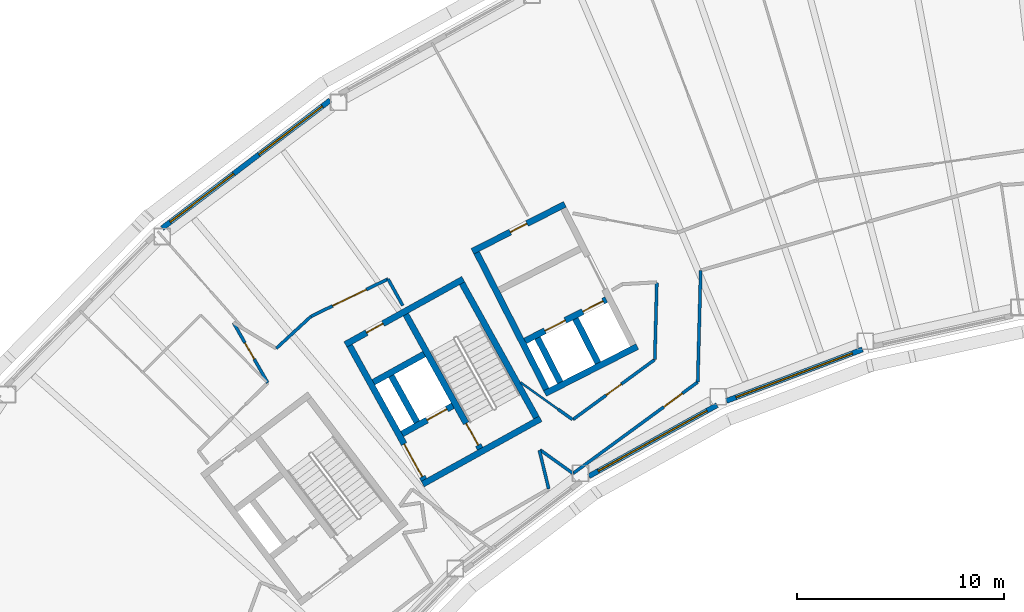
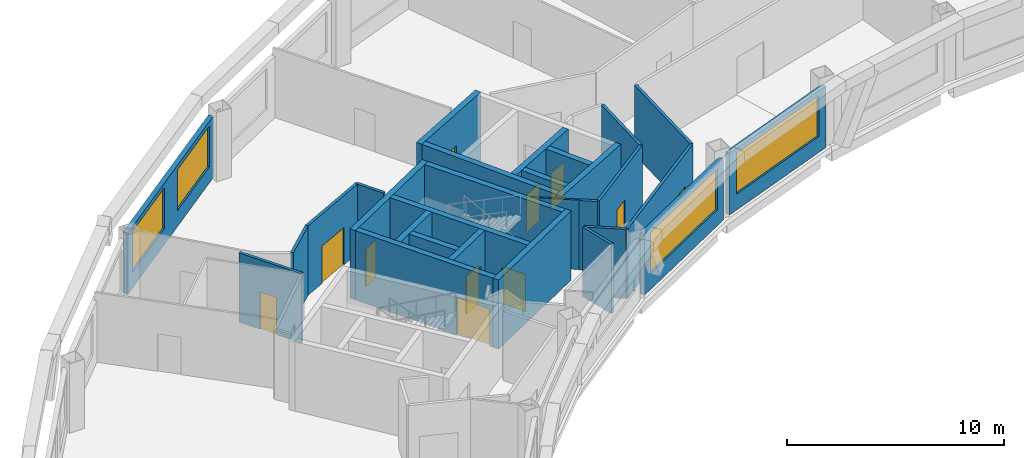
# One storey, part 6 of 13: 29 walls, 11 doors, 4 windows, 15 openings.
"""IFC4 building model written with IfcOpenShell, lengths in metres."""

from ifc_helpers import new_model, si_unit, direction, frame, frame_2d, origin, place, context, subcontext, project, spatial, rectangle, extrude, material, layer, layer_set, type_object, element, fill, save


model = new_model("IFC4")

# Units and contexts
model_context = context("Model", 3, precision=1e-05, world=origin(), true_north=direction((0.0, 1.0)))
body_context = subcontext(model_context, "Body", "Model", "MODEL_VIEW")
ifc_project = project(units=[si_unit("LENGTHUNIT", "METRE"), si_unit("AREAUNIT", "SQUARE_METRE"), si_unit("VOLUMEUNIT", "CUBIC_METRE"), si_unit("PLANEANGLEUNIT", "RADIAN"), si_unit("MASSUNIT", "GRAM", prefix="KILO")], contexts=[model_context])

# Site, building, storey
site_placement = place(None, origin())
site = spatial("IfcSite", under=ifc_project, at=site_placement, CompositionType="ELEMENT")
building_placement = place(site_placement, origin())
building = spatial("IfcBuilding", under=site, at=building_placement, Name="Tuul Gate Civic Tower", CompositionType="ELEMENT")
storey_placement = place(building_placement, frame((0.0, 0.0, 230.5)))
storey = spatial("IfcBuildingStorey", under=building, at=storey_placement, Name="Level 52", CompositionType="ELEMENT", Elevation=230.5)

# Wall
ifc_material_1 = material(Name="Concrete C50/60", Category="concrete")
ifc_layer_1 = layer(ifc_material_1, 0.300048828125)
ifc_layer_set_1 = layer_set([ifc_layer_1], Name="Concrete C50/60")
wall_type_1 = type_object("IfcWallType", Name="Core wall C50/60", PredefinedType="SHEAR", material=ifc_layer_set_1)
wall_1_placement = place(storey_placement, frame((-24.711669921875, -8.7158203125, 0.0), z_axis=(0.0, 0.0, 1.0), x_axis=(-0.874629909008, -0.484791215132, 0.0)))
element("IfcWall", 1, at=wall_1_placement, inside=storey, type_object=wall_type_1, Name="Core wall", PredefinedType="SHEAR", context=body_context, shape_type="SweptSolid", body=[
    extrude(rectangle(XDim=6.5, YDim=0.300048828125, at=frame_2d((3.25, 0.0))), origin(), (0.0, 0.0, 1.0), 3.89990234375),
])

# Wall, opening, door
wall_2_placement = place(storey_placement, frame((-28.94580078125, -8.090087890625, 0.0), z_axis=(0.0, 0.0, 1.0), x_axis=(-0.874629840737, -0.484791338301, 0.0)))
wall_2 = element("IfcWall", 2, at=wall_2_placement, inside=storey, type_object=wall_type_1, Name="Core wall", PredefinedType="SHEAR", context=body_context, shape_type="SweptSolid", body=[
    extrude(rectangle(XDim=2.800048828125, YDim=0.300048828125, at=frame_2d((1.39990234375, 0.0))), origin(), (0.0, 0.0, 1.0), 3.89990234375),
])
opening_1_placement = place(wall_2_placement, frame((0.324951171875, 0.0, 0.0)))
opening_1 = element("IfcOpeningElement", 3, at=opening_1_placement, cuts=wall_2, Name="Opening LD-FF-1", PredefinedType="OPENING", context=body_context, shape_type="SweptSolid", body=[
    extrude(rectangle(XDim=1.10009765625, YDim=2.10009765625, at=frame_2d((0.550048828125, 1.050048828125))), frame((0.0, 0.16015625, 0.0), z_axis=(0.0, -1.0, 0.0), x_axis=(1.0, 0.0, 0.0)), (0.0, 0.0, 1.0), 0.320068359375),
])
ifc_material_2 = material(Name="Stainless steel", Category="steel")
door_type_1 = type_object("IfcDoorType", Name="Landing door", OperationType="DOUBLE_DOOR_SLIDING", PredefinedType="DOOR", material=ifc_material_2)
door_1_placement = place(opening_1_placement, origin())
door_1 = element("IfcDoor", 4, at=door_1_placement, inside=storey, type_object=door_type_1, Name="Fire-fighting lift FF-1 landing door", OperationType="DOUBLE_DOOR_SLIDING", OverallHeight=2.10009765625, OverallWidth=1.10009765625, PredefinedType="DOOR", context=body_context, shape_type="SweptSolid", body=[
    extrude(rectangle(XDim=1.10009765625, YDim=2.10009765625, at=frame_2d((0.550048828125, 1.050048828125))), frame((0.0, 0.02490234375, 0.0), z_axis=(0.0, -1.0, 0.0), x_axis=(1.0, 0.0, 0.0)), (0.0, 0.0, 1.0), 0.050048828125),
])
fill(opening_1, door_1)

# Wall
wall_3_placement = place(storey_placement, frame((-30.327392578125, -5.59716796875, 0.0), z_axis=(0.0, 0.0, 1.0), x_axis=(-0.874629840737, -0.484791338301, 0.0)))
element("IfcWall", 5, at=wall_3_placement, inside=storey, type_object=wall_type_1, Name="Core wall", PredefinedType="SHEAR", context=body_context, shape_type="SweptSolid", body=[
    extrude(rectangle(XDim=2.800048828125, YDim=0.300048828125, at=frame_2d((1.39990234375, 0.0))), origin(), (0.0, 0.0, 1.0), 3.89990234375),
])

# Wall, opening, door
wall_4_placement = place(storey_placement, frame((-28.4443359375, -1.98095703125, 0.0), z_axis=(0.0, 0.0, 1.0), x_axis=(-0.874629909008, -0.484791215132, 0.0)))
wall_4 = element("IfcWall", 6, at=wall_4_placement, inside=storey, type_object=wall_type_1, Name="Core wall", PredefinedType="SHEAR", context=body_context, shape_type="SweptSolid", body=[
    extrude(rectangle(XDim=6.5, YDim=0.300048828125, at=frame_2d((3.25, 0.0))), origin(), (0.0, 0.0, 1.0), 3.89990234375),
])
opening_2_placement = place(wall_4_placement, frame((4.425048828125, 0.0, 0.0)))
opening_2 = element("IfcOpeningElement", 7, at=opening_2_placement, cuts=wall_4, Name="Opening S-D33", PredefinedType="OPENING", context=body_context, shape_type="SweptSolid", body=[
    extrude(rectangle(XDim=0.89990234375, YDim=2.10009765625, at=frame_2d((0.449951171875, 1.050048828125))), frame((0.0, 0.16015625, 0.0), z_axis=(0.0, -1.0, 0.0), x_axis=(1.0, 0.0, 0.0)), (0.0, 0.0, 1.0), 0.320068359375),
])
ifc_material_3 = material(Name="Timber door leaf", Category="wood")
door_type_2 = type_object("IfcDoorType", Name="Door D09", OperationType="NOTDEFINED", PredefinedType="DOOR", material=ifc_material_3)
door_2_placement = place(opening_2_placement, origin())
door_2 = element("IfcDoor", 8, at=door_2_placement, inside=storey, type_object=door_type_2, Name="Door S-D33", OperationType="SINGLE_SWING_LEFT", OverallHeight=2.10009765625, OverallWidth=0.89990234375, PredefinedType="DOOR", context=body_context, shape_type="SweptSolid", body=[
    extrude(rectangle(XDim=0.89990234375, YDim=2.10009765625, at=frame_2d((0.449951171875, 1.050048828125))), frame((0.0, 0.02490234375, 0.0), z_axis=(0.0, -1.0, 0.0), x_axis=(1.0, 0.0, 0.0)), (0.0, 0.0, 1.0), 0.050048828125),
])
fill(opening_2, door_2)

# Wall
wall_5_placement = place(storey_placement, frame((-24.91552734375, -8.6572265625, 0.0), z_axis=(0.0, 0.0, 1.0), x_axis=(-0.484777133038, 0.874637714304, 0.0)))
element("IfcWall", 9, at=wall_5_placement, inside=storey, type_object=wall_type_1, Name="Core wall", PredefinedType="SHEAR", context=body_context, shape_type="SweptSolid", body=[
    extrude(rectangle(XDim=7.400146484375, YDim=0.300048828125, at=frame_2d((3.7001953125, 0.0))), origin(), (0.0, 0.0, 1.0), 3.89990234375),
])

# Wall, opening, door
wall_6_placement = place(storey_placement, frame((-27.626953125, -10.16015625, 0.0), z_axis=(0.0, 0.0, 1.0), x_axis=(-0.484751894226, 0.874651702704, 0.0)))
wall_6 = element("IfcWall", 10, at=wall_6_placement, inside=storey, type_object=wall_type_1, Name="Core wall", PredefinedType="SHEAR", context=body_context, shape_type="SweptSolid", body=[
    extrude(rectangle(XDim=7.39990234375, YDim=0.300048828125, at=frame_2d((3.699951171875, 0.0))), origin(), (0.0, 0.0, 1.0), 3.89990234375),
])
opening_3_placement = place(wall_6_placement, frame((0.199951171875, 0.0, 0.0)))
opening_3 = element("IfcOpeningElement", 11, at=opening_3_placement, cuts=wall_6, Name="Opening SD-ST-2", PredefinedType="OPENING", context=body_context, shape_type="SweptSolid", body=[
    extrude(rectangle(XDim=1.199951171875, YDim=2.10009765625, at=frame_2d((0.60009765625, 1.050048828125))), frame((0.0, 0.16015625, 0.0), z_axis=(0.0, -1.0, 0.0), x_axis=(1.0, 0.0, 0.0)), (0.0, 0.0, 1.0), 0.320068359375),
])
ifc_material_4 = material(Name="Steel", Category="steel")
door_type_3 = type_object("IfcDoorType", Name="Stair door", OperationType="NOTDEFINED", PredefinedType="DOOR", material=ifc_material_4)
door_3_placement = place(opening_3_placement, origin())
door_3 = element("IfcDoor", 12, at=door_3_placement, inside=storey, type_object=door_type_3, Name="Stair door ST-2", OperationType="SINGLE_SWING_LEFT", OverallHeight=2.10009765625, OverallWidth=1.199951171875, PredefinedType="DOOR", context=body_context, shape_type="SweptSolid", body=[
    extrude(rectangle(XDim=1.199951171875, YDim=2.10009765625, at=frame_2d((0.60009765625, 1.050048828125))), frame((0.0, 0.02490234375, 0.0), z_axis=(0.0, -1.0, 0.0), x_axis=(1.0, 0.0, 0.0)), (0.0, 0.0, 1.0), 0.050048828125),
])
fill(opening_3, door_3)

# Wall
wall_7_placement = place(storey_placement, frame((-30.680419921875, -8.8798828125, 0.0), z_axis=(0.0, 0.0, 1.0), x_axis=(-0.484724115216, 0.874667097888, 0.0)))
element("IfcWall", 13, at=wall_7_placement, inside=storey, type_object=wall_type_1, Name="Core wall", PredefinedType="SHEAR", context=body_context, shape_type="SweptSolid", body=[
    extrude(rectangle(XDim=2.550048828125, YDim=0.300048828125, at=frame_2d((1.27490234375, 0.0))), origin(), (0.0, 0.0, 1.0), 3.89990234375),
])

# Wall, opening, door
wall_8_placement = place(storey_placement, frame((-30.33837890625, -11.6630859375, 0.0), z_axis=(0.0, 0.0, 1.0), x_axis=(-0.484751894226, 0.874651702704, 0.0)))
wall_8 = element("IfcWall", 14, at=wall_8_placement, inside=storey, type_object=wall_type_1, Name="Core wall", PredefinedType="SHEAR", context=body_context, shape_type="SweptSolid", body=[
    extrude(rectangle(XDim=7.39990234375, YDim=0.300048828125, at=frame_2d((3.699951171875, 0.0))), origin(), (0.0, 0.0, 1.0), 3.89990234375),
])
opening_4_placement = place(wall_8_placement, frame((0.175048828125, 0.0, 0.0)))
opening_4 = element("IfcOpeningElement", 15, at=opening_4_placement, cuts=wall_8, Name="Opening LB-W2-FLOBBY-1", PredefinedType="OPENING", context=body_context, shape_type="SweptSolid", body=[
    extrude(rectangle(XDim=1.800048828125, YDim=2.10009765625, at=frame_2d((0.89990234375, 1.050048828125))), frame((0.0, 0.16015625, 0.0), z_axis=(0.0, -1.0, 0.0), x_axis=(1.0, 0.0, 0.0)), (0.0, 0.0, 1.0), 0.320068359375),
])
ifc_material_5 = material(Name="Steel", Category="steel")
door_type_4 = type_object("IfcDoorType", Name="Lobby door", OperationType="DOUBLE_DOOR_SINGLE_SWING", PredefinedType="DOOR", material=ifc_material_5)
door_4_placement = place(opening_4_placement, frame((1.800048828125, 0.0, 0.0), z_axis=(0.0, 0.0, 1.0), x_axis=(-1.0, 0.0, 0.0)))
door_4 = element("IfcDoor", 16, at=door_4_placement, inside=storey, type_object=door_type_4, Name="Lobby door W2-FLOBBY", OperationType="DOUBLE_DOOR_SINGLE_SWING", OverallHeight=2.10009765625, OverallWidth=1.800048828125, PredefinedType="DOOR", context=body_context, shape_type="SweptSolid", body=[
    extrude(rectangle(XDim=1.800048828125, YDim=2.10009765625, at=frame_2d((0.900146484375, 1.050048828125))), frame((0.0, 0.02490234375, 0.0), z_axis=(0.0, -1.0, 0.0), x_axis=(1.0, 0.0, 0.0)), (0.0, 0.0, 1.0), 0.050048828125),
])
fill(opening_4, door_4)

# Wall
ifc_material_6 = material(Name="Gypsum board partition")
ifc_layer_2 = layer(ifc_material_6, 0.14990234375)
ifc_layer_set_2 = layer_set([ifc_layer_2], Name="Gypsum board partition")
wall_type_2 = type_object("IfcWallType", Name="Corridor wall P150", PredefinedType="PARTITIONING", material=ifc_layer_set_2)
wall_9_placement = place(storey_placement, frame((-32.072509765625, -1.973876953125, 0.0), z_axis=(0.0, 0.0, 1.0), x_axis=(0.484666549228, -0.874698997404, 0.0)))
element("IfcWall", 17, at=wall_9_placement, inside=storey, type_object=wall_type_2, Name="p035", PredefinedType="PARTITIONING", context=body_context, shape_type="SweptSolid", body=[
    extrude(rectangle(XDim=1.46533203125, YDim=0.14990234375, at=frame_2d((0.732666015625, 0.0))), origin(), (0.0, 0.0, 1.0), 3.89990234375),
])

# Wall, opening, door
wall_10_placement = place(storey_placement, frame((-35.78857421875, -3.7783203125, 0.0), z_axis=(0.0, 0.0, 1.0), x_axis=(0.899555932579, 0.436805590808, 0.0)))
wall_10 = element("IfcWall", 18, at=wall_10_placement, inside=storey, type_object=wall_type_2, Name="p036", PredefinedType="PARTITIONING", context=body_context, shape_type="SweptSolid", body=[
    extrude(rectangle(XDim=4.131103515625, YDim=0.14990234375, at=frame_2d((2.0654296875, 0.0))), origin(), (0.0, 0.0, 1.0), 3.89990234375),
])
opening_5_placement = place(wall_10_placement, frame((1.16552734375, 0.0, 0.0)))
opening_5 = element("IfcOpeningElement", 19, at=opening_5_placement, cuts=wall_10, Name="Opening S-D11", PredefinedType="OPENING", context=body_context, shape_type="SweptSolid", body=[
    extrude(rectangle(XDim=1.800048828125, YDim=2.10009765625, at=frame_2d((0.89990234375, 1.050048828125))), frame((0.0, 0.0849609375, 0.0), z_axis=(0.0, -1.0, 0.0), x_axis=(1.0, 0.0, 0.0)), (0.0, 0.0, 1.0), 0.169921875),
])
ifc_material_7 = material(Name="Timber door leaf, double", Category="wood")
door_type_5 = type_object("IfcDoorType", Name="Door D18", OperationType="DOUBLE_DOOR_SINGLE_SWING", PredefinedType="DOOR", material=ifc_material_7)
door_5_placement = place(opening_5_placement, origin())
door_5 = element("IfcDoor", 20, at=door_5_placement, inside=storey, type_object=door_type_5, Name="Door S-D11", OperationType="DOUBLE_DOOR_SINGLE_SWING", OverallHeight=2.10009765625, OverallWidth=1.800048828125, PredefinedType="DOOR", context=body_context, shape_type="SweptSolid", body=[
    extrude(rectangle(XDim=1.800048828125, YDim=2.10009765625, at=frame_2d((0.89990234375, 1.050048828125))), frame((0.0, 0.02490234375, 0.0), z_axis=(0.0, -1.0, 0.0), x_axis=(1.0, 0.0, 0.0)), (0.0, 0.0, 1.0), 0.050048828125),
])
fill(opening_5, door_5)

# Walls
wall_11_placement = place(storey_placement, frame((-37.4609375, -5.318359375, 0.0), z_axis=(0.0, 0.0, 1.0), x_axis=(0.735609880803, 0.677405420162, 0.0)))
element("IfcWall", 21, at=wall_11_placement, inside=storey, type_object=wall_type_2, Name="p038", PredefinedType="PARTITIONING", context=body_context, shape_type="SweptSolid", body=[
    extrude(rectangle(XDim=2.2734375, YDim=0.14990234375, at=frame_2d((1.13671875, 0.0))), origin(), (0.0, 0.0, 1.0), 3.89990234375),
])
wall_12_placement = place(storey_placement, frame((-24.740966796875, -10.215576171875, 0.0), z_axis=(0.0, 0.0, 1.0), x_axis=(0.813649169035, -0.581356198667, 0.0)))
element("IfcWall", 22, at=wall_12_placement, inside=storey, type_object=wall_type_2, Name="p056", PredefinedType="PARTITIONING", context=body_context, shape_type="SweptSolid", body=[
    extrude(rectangle(XDim=1.95703125, YDim=0.14990234375, at=frame_2d((0.978515625, 0.0))), origin(), (0.0, 0.0, 1.0), 3.89990234375),
])

# Wall, opening, door
wall_13_placement = place(storey_placement, frame((-23.148681640625, -11.353271484375, 0.0), z_axis=(0.0, 0.0, 1.0), x_axis=(0.806668261836, 0.591004496891, 0.0)))
wall_13 = element("IfcWall", 23, at=wall_13_placement, inside=storey, type_object=wall_type_2, Name="p057", PredefinedType="PARTITIONING", context=body_context, shape_type="SweptSolid", body=[
    extrude(rectangle(XDim=7.456787109375, YDim=0.14990234375, at=frame_2d((3.728515625, 0.0))), origin(), (0.0, 0.0, 1.0), 3.89990234375),
])
opening_6_placement = place(wall_13_placement, frame((5.428466796875, 0.0, 0.0)))
opening_6 = element("IfcOpeningElement", 24, at=opening_6_placement, cuts=wall_13, Name="Opening S-D30", PredefinedType="OPENING", context=body_context, shape_type="SweptSolid", body=[
    extrude(rectangle(XDim=1.10009765625, YDim=2.10009765625, at=frame_2d((0.550048828125, 1.050048828125))), frame((0.0, 0.0849609375, 0.0), z_axis=(0.0, -1.0, 0.0), x_axis=(1.0, 0.0, 0.0)), (0.0, 0.0, 1.0), 0.169921875),
])
ifc_material_8 = material(Name="Timber door leaf", Category="wood")
door_type_6 = type_object("IfcDoorType", Name="Door D11", OperationType="NOTDEFINED", PredefinedType="DOOR", material=ifc_material_8)
door_6_placement = place(opening_6_placement, frame((1.10009765625, 0.0, 0.0), z_axis=(0.0, 0.0, 1.0), x_axis=(-1.0, 0.0, 0.0)))
door_6 = element("IfcDoor", 25, at=door_6_placement, inside=storey, type_object=door_type_6, Name="Door S-D30", OperationType="SINGLE_SWING_LEFT", OverallHeight=2.10009765625, OverallWidth=1.10009765625, PredefinedType="DOOR", context=body_context, shape_type="SweptSolid", body=[
    extrude(rectangle(XDim=1.10009765625, YDim=2.10009765625, at=frame_2d((0.550048828125, 1.050048828125))), frame((0.0, 0.02490234375, 0.0), z_axis=(0.0, -1.0, 0.0), x_axis=(1.0, 0.0, 0.0)), (0.0, 0.0, 1.0), 0.050048828125),
])
fill(opening_6, door_6)

# Walls
wall_14_placement = place(storey_placement, frame((-17.133544921875, -6.9462890625, 0.0), z_axis=(0.0, 0.0, 1.0), x_axis=(0.026340064237, 0.999653040317, 0.0)))
element("IfcWall", 26, at=wall_14_placement, inside=storey, type_object=wall_type_2, Name="p058", PredefinedType="PARTITIONING", context=body_context, shape_type="SweptSolid", body=[
    extrude(rectangle(XDim=5.38525390625, YDim=0.14990234375, at=frame_2d((2.692626953125, 0.0))), origin(), (0.0, 0.0, 1.0), 3.89990234375),
])
wall_15_placement = place(storey_placement, frame((-24.7724609375, -10.23681640625, 0.0), z_axis=(0.0, 0.0, 1.0), x_axis=(0.235359178724, -0.97190846122, 0.0)))
element("IfcWall", 27, at=wall_15_placement, inside=storey, type_object=wall_type_2, Name="p062", PredefinedType="PARTITIONING", context=body_context, shape_type="SweptSolid", body=[
    extrude(rectangle(XDim=1.914794921875, YDim=0.14990234375, at=frame_2d((0.95751953125, 0.0))), origin(), (0.0, 0.0, 1.0), 3.89990234375),
])
wall_16_placement = place(storey_placement, frame((-19.205322265625, -5.8505859375, 0.0), z_axis=(0.0, 0.0, 1.0), x_axis=(0.026344881931, 0.999652913363, 0.0)))
element("IfcWall", 28, at=wall_16_placement, inside=storey, type_object=wall_type_2, Name="p066", PredefinedType="PARTITIONING", context=body_context, shape_type="SweptSolid", body=[
    extrude(rectangle(XDim=3.697509765625, YDim=0.14990234375, at=frame_2d((1.8486328125, 0.0))), origin(), (0.0, 0.0, 1.0), 3.89990234375),
])

# Wall, opening, door
wall_17_placement = place(storey_placement, frame((-23.152099609375, -8.75244140625, 0.0), z_axis=(0.0, 0.0, 1.0), x_axis=(0.806659306744, 0.591016719597, 0.0)))
wall_17 = element("IfcWall", 29, at=wall_17_placement, inside=storey, type_object=wall_type_2, Name="p067", PredefinedType="PARTITIONING", context=body_context, shape_type="SweptSolid", body=[
    extrude(rectangle(XDim=4.8818359375, YDim=0.14990234375, at=frame_2d((2.44091796875, 0.0))), origin(), (0.0, 0.0, 1.0), 3.89990234375),
])
opening_7_placement = place(wall_17_placement, frame((1.990966796875, 0.0, 0.0)))
opening_7 = element("IfcOpeningElement", 30, at=opening_7_placement, cuts=wall_17, Name="Opening S-D16", PredefinedType="OPENING", context=body_context, shape_type="SweptSolid", body=[
    extrude(rectangle(XDim=0.89990234375, YDim=2.10009765625, at=frame_2d((0.449951171875, 1.050048828125))), frame((0.0, 0.0849609375, 0.0), z_axis=(0.0, -1.0, 0.0), x_axis=(1.0, 0.0, 0.0)), (0.0, 0.0, 1.0), 0.169921875),
])
door_7_placement = place(opening_7_placement, origin())
door_7 = element("IfcDoor", 31, at=door_7_placement, inside=storey, type_object=door_type_2, Name="Door S-D16", OperationType="SINGLE_SWING_RIGHT", OverallHeight=2.10009765625, OverallWidth=0.89990234375, PredefinedType="DOOR", context=body_context, shape_type="SweptSolid", body=[
    extrude(rectangle(XDim=0.89990234375, YDim=2.10009765625, at=frame_2d((0.449951171875, 1.050048828125))), frame((0.0, 0.02490234375, 0.0), z_axis=(0.0, -1.0, 0.0), x_axis=(1.0, 0.0, 0.0)), (0.0, 0.0, 1.0), 0.050048828125),
])
fill(opening_7, door_7)

# Wall
wall_18_placement = place(storey_placement, frame((-23.86962890625, -8.257080078125, 0.0), z_axis=(0.0, 0.0, 1.0), x_axis=(0.813578538405, -0.581455038543, 0.0)))
element("IfcWall", 32, at=wall_18_placement, inside=storey, type_object=wall_type_2, Name="p068", PredefinedType="PARTITIONING", context=body_context, shape_type="SweptSolid", body=[
    extrude(rectangle(XDim=0.85205078125, YDim=0.14990234375, at=frame_2d((0.426025390625, 0.0))), origin(), (0.0, 0.0, 1.0), 3.89990234375),
])

# Wall, opening, door
wall_19_placement = place(storey_placement, frame((-39.526611328125, -4.085693359375, 0.0), z_axis=(0.0, 0.0, 1.0), x_axis=(0.495207468622, -0.868774748149, 0.0)))
wall_19 = element("IfcWall", 33, at=wall_19_placement, inside=storey, type_object=wall_type_2, Name="p079", PredefinedType="PARTITIONING", context=body_context, shape_type="SweptSolid", body=[
    extrude(rectangle(XDim=3.331787109375, YDim=0.14990234375, at=frame_2d((1.666015625, 0.0))), origin(), (0.0, 0.0, 1.0), 3.89990234375),
])
opening_8_placement = place(wall_19_placement, frame((1.115966796875, 0.0, 0.0)))
opening_8 = element("IfcOpeningElement", 34, at=opening_8_placement, cuts=wall_19, Name="Opening S-D19", PredefinedType="OPENING", context=body_context, shape_type="SweptSolid", body=[
    extrude(rectangle(XDim=0.89990234375, YDim=2.10009765625, at=frame_2d((0.449951171875, 1.050048828125))), frame((0.0, 0.0849609375, 0.0), z_axis=(0.0, -1.0, 0.0), x_axis=(1.0, 0.0, 0.0)), (0.0, 0.0, 1.0), 0.169921875),
])
door_8_placement = place(opening_8_placement, frame((0.89990234375, 0.0, 0.0), z_axis=(0.0, 0.0, 1.0), x_axis=(-1.0, 0.0, 0.0)))
door_8 = element("IfcDoor", 35, at=door_8_placement, inside=storey, type_object=door_type_2, Name="Door S-D19", OperationType="SINGLE_SWING_LEFT", OverallHeight=2.10009765625, OverallWidth=0.89990234375, PredefinedType="DOOR", context=body_context, shape_type="SweptSolid", body=[
    extrude(rectangle(XDim=0.89990234375, YDim=2.10009765625, at=frame_2d((0.449951171875, 1.050048828125))), frame((0.0, 0.02490234375, 0.0), z_axis=(0.0, -1.0, 0.0), x_axis=(1.0, 0.0, 0.0)), (0.0, 0.0, 1.0), 0.050048828125),
])
fill(opening_8, door_8)

# Wall, openings, windows
ifc_material_9 = material(Name="Precast concrete C40/50", Category="concrete")
ifc_layer_3 = layer(ifc_material_9, 0.25)
ifc_layer_set_3 = layer_set([ifc_layer_3], Name="Precast concrete C40/50")
wall_type_3 = type_object("IfcWallType", Name="External wall", PredefinedType="STANDARD", material=ifc_layer_set_3)
wall_20_placement = place(storey_placement, frame((-34.863037109375, 6.646728515625, 0.0), z_axis=(0.0, 0.0, 1.0), x_axis=(-0.795610476584, -0.605808525485, 0.0)))
wall_20 = element("IfcWall", 36, at=wall_20_placement, inside=storey, type_object=wall_type_3, Name="External wall", PredefinedType="STANDARD", context=body_context, shape_type="SweptSolid", body=[
    extrude(rectangle(XDim=10.1875, YDim=0.25, at=frame_2d((5.09375, 0.0))), origin(), (0.0, 0.0, 1.0), 3.449951171875),
])
opening_9_placement = place(wall_20_placement, frame((0.471923828125, 0.0, 0.89990234375)))
opening_9 = element("IfcOpeningElement", 37, at=opening_9_placement, cuts=wall_20, Name="Opening W22", PredefinedType="OPENING", context=body_context, shape_type="SweptSolid", body=[
    extrude(rectangle(XDim=3.85009765625, YDim=2.300048828125, at=frame_2d((1.925048828125, 1.14990234375))), frame((0.0, 0.135009765625, 0.0), z_axis=(0.0, -1.0, 0.0), x_axis=(1.0, 0.0, 0.0)), (0.0, 0.0, 1.0), 0.27001953125),
])
opening_10_placement = place(wall_20_placement, frame((5.84326171875, 0.0, 0.89990234375)))
opening_10 = element("IfcOpeningElement", 38, at=opening_10_placement, cuts=wall_20, Name="Opening W22", PredefinedType="OPENING", context=body_context, shape_type="SweptSolid", body=[
    extrude(rectangle(XDim=3.85009765625, YDim=2.300048828125, at=frame_2d((1.925048828125, 1.14990234375))), frame((0.0, 0.135009765625, 0.0), z_axis=(0.0, -1.0, 0.0), x_axis=(1.0, 0.0, 0.0)), (0.0, 0.0, 1.0), 0.27001953125),
])
ifc_material_10 = material(Name="Glass", Category="glass")
window_type_1 = type_object("IfcWindowType", Name="Window W22 3850 x 2300", PartitioningType="SINGLE_PANEL", PredefinedType="WINDOW", material=ifc_material_10)
window_1_placement = place(opening_9_placement, origin())
window_1 = element("IfcWindow", 39, at=window_1_placement, inside=storey, type_object=window_type_1, Name="Window", OverallHeight=2.300048828125, OverallWidth=3.85009765625, PartitioningType="SINGLE_PANEL", PredefinedType="WINDOW", context=body_context, shape_type="SweptSolid", body=[
    extrude(rectangle(XDim=3.85009765625, YDim=2.300048828125, at=frame_2d((1.925048828125, 1.14990234375))), frame((0.0, 0.030029296875, 0.0), z_axis=(0.0, -1.0, 0.0), x_axis=(1.0, 0.0, 0.0)), (0.0, 0.0, 1.0), 0.06005859375),
])
fill(opening_9, window_1)
window_2_placement = place(opening_10_placement, origin())
window_2 = element("IfcWindow", 40, at=window_2_placement, inside=storey, type_object=window_type_1, Name="Window", OverallHeight=2.300048828125, OverallWidth=3.85009765625, PartitioningType="SINGLE_PANEL", PredefinedType="WINDOW", context=body_context, shape_type="SweptSolid", body=[
    extrude(rectangle(XDim=3.85009765625, YDim=2.300048828125, at=frame_2d((1.925048828125, 1.14990234375))), frame((0.0, 0.030029296875, 0.0), z_axis=(0.0, -1.0, 0.0), x_axis=(1.0, 0.0, 0.0)), (0.0, 0.0, 1.0), 0.06005859375),
])
fill(opening_10, window_2)

# Wall, opening, window
wall_21_placement = place(storey_placement, frame((-22.386962890625, -11.48828125, 0.0), z_axis=(0.0, 0.0, 1.0), x_axis=(0.874628863521, 0.484793101328, 0.0)))
wall_21 = element("IfcWall", 41, at=wall_21_placement, inside=storey, type_object=wall_type_3, Name="External wall", PredefinedType="STANDARD", context=body_context, shape_type="SweptSolid", body=[
    extrude(rectangle(XDim=7.075439453125, YDim=0.25, at=frame_2d((3.53759765625, 0.0))), origin(), (0.0, 0.0, 1.0), 3.449951171875),
])
opening_11_placement = place(wall_21_placement, frame((0.51904296875, 0.0, 0.89990234375)))
opening_11 = element("IfcOpeningElement", 42, at=opening_11_placement, cuts=wall_21, Name="Opening W26", PredefinedType="OPENING", context=body_context, shape_type="SweptSolid", body=[
    extrude(rectangle(XDim=6.0, YDim=2.300048828125, at=frame_2d((3.0, 1.14990234375))), frame((0.0, 0.135009765625, 0.0), z_axis=(0.0, -1.0, 0.0), x_axis=(1.0, 0.0, 0.0)), (0.0, 0.0, 1.0), 0.27001953125),
])
ifc_material_11 = material(Name="Glass", Category="glass")
window_type_2 = type_object("IfcWindowType", Name="Window W26 6000 x 2300", PartitioningType="SINGLE_PANEL", PredefinedType="WINDOW", material=ifc_material_11)
window_3_placement = place(opening_11_placement, origin())
window_3 = element("IfcWindow", 43, at=window_3_placement, inside=storey, type_object=window_type_2, Name="Window", OverallHeight=2.300048828125, OverallWidth=6.0, PartitioningType="SINGLE_PANEL", PredefinedType="WINDOW", context=body_context, shape_type="SweptSolid", body=[
    extrude(rectangle(XDim=6.0, YDim=2.300048828125, at=frame_2d((3.0, 1.14990234375))), frame((0.0, 0.030029296875, 0.0), z_axis=(0.0, -1.0, 0.0), x_axis=(1.0, 0.0, 0.0)), (0.0, 0.0, 1.0), 0.06005859375),
])
fill(opening_11, window_3)

wall_22_placement = place(storey_placement, frame((-15.7470703125, -7.85400390625, 0.0), z_axis=(0.0, 0.0, 1.0), x_axis=(0.93536593895, 0.353681438943, 0.0)))
wall_22 = element("IfcWall", 44, at=wall_22_placement, inside=storey, type_object=wall_type_3, Name="External wall", PredefinedType="STANDARD", context=body_context, shape_type="SweptSolid", body=[
    extrude(rectangle(XDim=7.0146484375, YDim=0.25, at=frame_2d((3.50732421875, 0.0))), origin(), (0.0, 0.0, 1.0), 3.449951171875),
])
opening_12_placement = place(wall_22_placement, frame((0.491455078125, 0.0, 0.89990234375)))
opening_12 = element("IfcOpeningElement", 45, at=opening_12_placement, cuts=wall_22, Name="Opening W26", PredefinedType="OPENING", context=body_context, shape_type="SweptSolid", body=[
    extrude(rectangle(XDim=6.0, YDim=2.300048828125, at=frame_2d((3.0, 1.14990234375))), frame((0.0, 0.135009765625, 0.0), z_axis=(0.0, -1.0, 0.0), x_axis=(1.0, 0.0, 0.0)), (0.0, 0.0, 1.0), 0.27001953125),
])
window_4_placement = place(opening_12_placement, origin())
window_4 = element("IfcWindow", 46, at=window_4_placement, inside=storey, type_object=window_type_2, Name="Window", OverallHeight=2.300048828125, OverallWidth=6.0, PartitioningType="SINGLE_PANEL", PredefinedType="WINDOW", context=body_context, shape_type="SweptSolid", body=[
    extrude(rectangle(XDim=6.0, YDim=2.300048828125, at=frame_2d((3.0, 1.14990234375))), frame((0.0, 0.030029296875, 0.0), z_axis=(0.0, -1.0, 0.0), x_axis=(1.0, 0.0, 0.0)), (0.0, 0.0, 1.0), 0.06005859375),
])
fill(opening_12, window_4)

# Wall
ifc_material_12 = material(Name="Concrete C40/50", Category="concrete")
ifc_layer_4 = layer(ifc_material_12, 0.300048828125)
ifc_layer_set_4 = layer_set([ifc_layer_4], Name="Concrete C40/50")
wall_type_4 = type_object("IfcWallType", Name="Lift shaft wall C40/50", PredefinedType="STANDARD", material=ifc_layer_set_4)
wall_23_placement = place(storey_placement, frame((-20.049072265625, -5.232421875, 0.0), z_axis=(0.0, 0.0, 1.0), x_axis=(-0.891002976909, -0.453997461601, 0.0)))
element("IfcWall", 47, at=wall_23_placement, inside=storey, type_object=wall_type_4, Name="Shaft wall", PredefinedType="STANDARD", context=body_context, shape_type="SweptSolid", body=[
    extrude(rectangle(XDim=5.0, YDim=0.300048828125, at=frame_2d((2.5, 0.0))), origin(), (0.0, 0.0, 1.0), 3.89990234375),
])

# Wall, openings, doors
wall_24_placement = place(storey_placement, frame((-21.542236328125, -2.962890625, 0.0), z_axis=(0.0, 0.0, 1.0), x_axis=(-0.891005618941, -0.453992276384, 0.0)))
wall_24 = element("IfcWall", 48, at=wall_24_placement, inside=storey, type_object=wall_type_4, Name="Shaft wall", PredefinedType="STANDARD", context=body_context, shape_type="SweptSolid", body=[
    extrude(rectangle(XDim=4.39990234375, YDim=0.300048828125, at=frame_2d((2.199951171875, 0.0))), origin(), (0.0, 0.0, 1.0), 3.89990234375),
])
opening_13_placement = place(wall_24_placement, frame((0.175048828125, 0.0, 0.0)))
opening_13 = element("IfcOpeningElement", 49, at=opening_13_placement, cuts=wall_24, Name="Opening LD-M1", PredefinedType="OPENING", context=body_context, shape_type="SweptSolid", body=[
    extrude(rectangle(XDim=1.10009765625, YDim=2.10009765625, at=frame_2d((0.550048828125, 1.050048828125))), frame((0.0, 0.16015625, 0.0), z_axis=(0.0, -1.0, 0.0), x_axis=(1.0, 0.0, 0.0)), (0.0, 0.0, 1.0), 0.320068359375),
])
opening_14_placement = place(wall_24_placement, frame((2.22509765625, 0.0, 0.0)))
opening_14 = element("IfcOpeningElement", 50, at=opening_14_placement, cuts=wall_24, Name="Opening LD-M2", PredefinedType="OPENING", context=body_context, shape_type="SweptSolid", body=[
    extrude(rectangle(XDim=1.10009765625, YDim=2.10009765625, at=frame_2d((0.550048828125, 1.050048828125))), frame((0.0, 0.16015625, 0.0), z_axis=(0.0, -1.0, 0.0), x_axis=(1.0, 0.0, 0.0)), (0.0, 0.0, 1.0), 0.320068359375),
])
door_9_placement = place(opening_13_placement, origin())
door_9 = element("IfcDoor", 51, at=door_9_placement, inside=storey, type_object=door_type_1, Name="Mid-rise lift M1 landing door", OperationType="DOUBLE_DOOR_SLIDING", OverallHeight=2.10009765625, OverallWidth=1.10009765625, PredefinedType="DOOR", context=body_context, shape_type="SweptSolid", body=[
    extrude(rectangle(XDim=1.10009765625, YDim=2.10009765625, at=frame_2d((0.550048828125, 1.050048828125))), frame((0.0, 0.02490234375, 0.0), z_axis=(0.0, -1.0, 0.0), x_axis=(1.0, 0.0, 0.0)), (0.0, 0.0, 1.0), 0.050048828125),
])
fill(opening_13, door_9)
door_10_placement = place(opening_14_placement, origin())
door_10 = element("IfcDoor", 52, at=door_10_placement, inside=storey, type_object=door_type_1, Name="Mid-rise lift M2 landing door", OperationType="DOUBLE_DOOR_SLIDING", OverallHeight=2.10009765625, OverallWidth=1.10009765625, PredefinedType="DOOR", context=body_context, shape_type="SweptSolid", body=[
    extrude(rectangle(XDim=1.10009765625, YDim=2.10009765625, at=frame_2d((0.550048828125, 1.050048828125))), frame((0.0, 0.02490234375, 0.0), z_axis=(0.0, -1.0, 0.0), x_axis=(1.0, 0.0, 0.0)), (0.0, 0.0, 1.0), 0.050048828125),
])
fill(opening_14, door_10)

# Wall, opening, door
wall_25_placement = place(storey_placement, frame((-23.544921875, 1.62841796875, 0.0), z_axis=(0.0, 0.0, 1.0), x_axis=(-0.891002976909, -0.453997461601, 0.0)))
wall_25 = element("IfcWall", 53, at=wall_25_placement, inside=storey, type_object=wall_type_4, Name="Shaft wall", PredefinedType="STANDARD", context=body_context, shape_type="SweptSolid", body=[
    extrude(rectangle(XDim=5.0, YDim=0.300048828125, at=frame_2d((2.5, 0.0))), origin(), (0.0, 0.0, 1.0), 3.89990234375),
])
opening_15_placement = place(wall_25_placement, frame((2.050048828125, 0.0, 0.0)))
opening_15 = element("IfcOpeningElement", 54, at=opening_15_placement, cuts=wall_25, Name="Opening S-D38", PredefinedType="OPENING", context=body_context, shape_type="SweptSolid", body=[
    extrude(rectangle(XDim=0.89990234375, YDim=2.10009765625, at=frame_2d((0.449951171875, 1.050048828125))), frame((0.0, 0.16015625, 0.0), z_axis=(0.0, -1.0, 0.0), x_axis=(1.0, 0.0, 0.0)), (0.0, 0.0, 1.0), 0.320068359375),
])
door_11_placement = place(opening_15_placement, origin())
door_11 = element("IfcDoor", 55, at=door_11_placement, inside=storey, type_object=door_type_2, Name="Door S-D38", OperationType="SINGLE_SWING_LEFT", OverallHeight=2.10009765625, OverallWidth=0.89990234375, PredefinedType="DOOR", context=body_context, shape_type="SweptSolid", body=[
    extrude(rectangle(XDim=0.89990234375, YDim=2.10009765625, at=frame_2d((0.449951171875, 1.050048828125))), frame((0.0, 0.02490234375, 0.0), z_axis=(0.0, -1.0, 0.0), x_axis=(1.0, 0.0, 0.0)), (0.0, 0.0, 1.0), 0.050048828125),
])
fill(opening_15, door_11)

# Walls
for number, where, z_axis, x_axis, name in (
    (56, (-21.94384765625, -6.029296875, 0.0), (0.0, 0.0, 1.0), (-0.45403702923, 0.890982814698, 0.0), "Shaft wall"),
    (57, (-23.770263671875, -6.960205078125, 0.0), (0.0, 0.0, 1.0), (-0.45399587725, 0.891003784189, 0.0), "Shaft wall"),
):
    element("IfcWall", number, at=place(storey_placement, frame(where, z_axis=z_axis, x_axis=x_axis)), inside=storey, type_object=wall_type_4, Name=name, PredefinedType="STANDARD", context=body_context, shape_type="SweptSolid", body=[
        extrude(rectangle(XDim=2.39990234375, YDim=0.300048828125, at=frame_2d((1.199951171875, 0.0))), origin(), (0.0, 0.0, 1.0), 3.89990234375),
    ])
wall_26_placement = place(storey_placement, frame((-24.438720703125, -7.300537109375, 0.0), z_axis=(0.0, 0.0, 1.0), x_axis=(-0.453984101083, 0.891009784438, 0.0)))
element("IfcWall", 58, at=wall_26_placement, inside=storey, type_object=wall_type_4, Name="Shaft wall", PredefinedType="STANDARD", context=body_context, shape_type="SweptSolid", body=[
    extrude(rectangle(XDim=7.399658203125, YDim=0.300048828125, at=frame_2d((3.69970703125, 0.0))), origin(), (0.0, 0.0, 1.0), 3.89990234375),
])
ifc_material_13 = material(Name="Gypsum board partition")
ifc_layer_5 = layer(ifc_material_13, 0.10009765625)
ifc_layer_set_5 = layer_set([ifc_layer_5], Name="Gypsum board partition")
wall_type_5 = type_object("IfcWallType", Name="Partition P100", PredefinedType="PARTITIONING", material=ifc_layer_set_5)
wall_27_placement = place(storey_placement, frame((-23.86962890625, -8.257080078125, 0.0), z_axis=(0.0, 0.0, 1.0), x_axis=(-0.813681699153, 0.58131066777, 0.0)))
element("IfcWall", 59, at=wall_27_placement, inside=storey, type_object=wall_type_5, Name="p080", PredefinedType="PARTITIONING", context=body_context, shape_type="SweptSolid", body=[
    extrude(rectangle(XDim=2.23046875, YDim=0.10009765625, at=frame_2d((1.115234375, 0.0))), origin(), (0.0, 0.0, 1.0), 3.89990234375),
])

save(model, "model.ifc")
